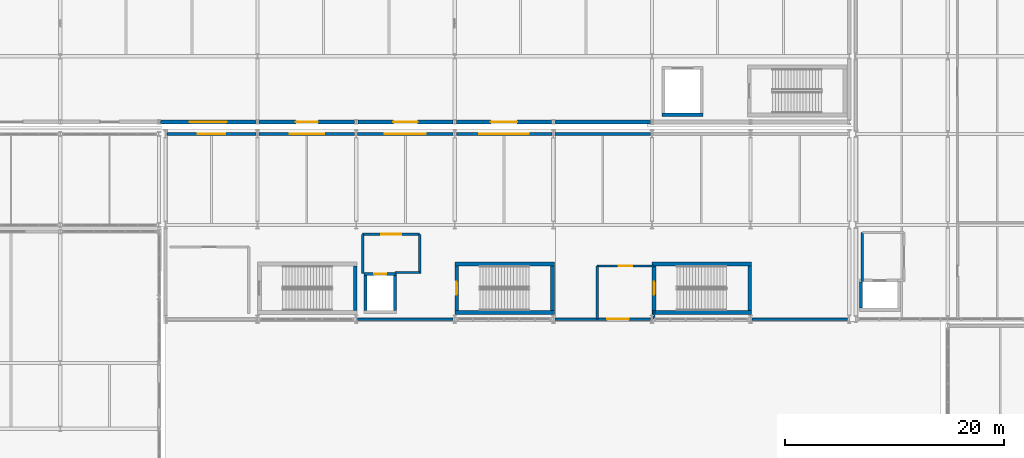
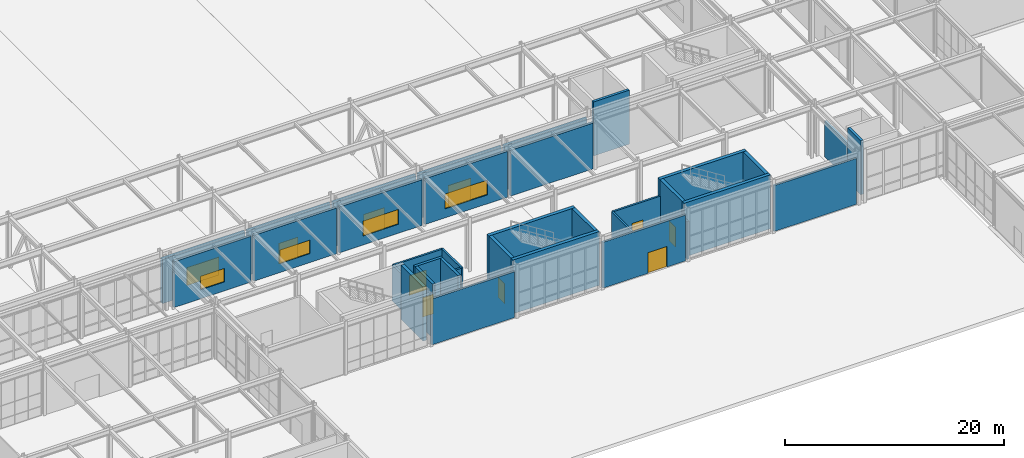
# One storey, part 120 of 146: 35 walls, 9 doors, 5 windows, 14 openings.
"""IFC4 building model written with IfcOpenShell, lengths in metres."""

from ifc_helpers import new_model, si_unit, direction, frame, frame_2d, origin, place, context, subcontext, project, spatial, rectangle, extrude, material, layer, layer_set, type_object, element, fill, save


model = new_model("IFC4")

# Units and contexts
model_context = context("Model", 3, precision=1e-05, world=origin(), true_north=direction((0.0, 1.0)))
body_context = subcontext(model_context, "Body", "Model", "MODEL_VIEW")
ifc_project = project(units=[si_unit("LENGTHUNIT", "METRE"), si_unit("AREAUNIT", "SQUARE_METRE"), si_unit("VOLUMEUNIT", "CUBIC_METRE"), si_unit("PLANEANGLEUNIT", "RADIAN"), si_unit("MASSUNIT", "GRAM", prefix="KILO")], contexts=[model_context])

# Site, building, storey
site_placement = place(None, origin())
site = spatial("IfcSite", under=ifc_project, at=site_placement, CompositionType="ELEMENT")
building_placement = place(site_placement, origin())
building = spatial("IfcBuilding", under=site, at=building_placement, Name="Kaldris Quays Convention Centre", CompositionType="ELEMENT")
storey_placement = place(building_placement, origin())
storey = spatial("IfcBuildingStorey", under=building, at=storey_placement, Name="L00", CompositionType="ELEMENT", Elevation=0.0)

# Wall, opening, window
ifc_material_1 = material(Name="Concrete C35/45", Category="concrete")
ifc_layer_1 = layer(ifc_material_1, 0.344970703125)
ifc_layer_set_1 = layer_set([ifc_layer_1], Name="Concrete C35/45")
wall_type_1 = type_object("IfcWallType", Name="EXTERIOR WALL EW01", PredefinedType="STANDARD", material=ifc_layer_set_1)
wall_1_placement = place(storey_placement, frame((83.1494140625, 56.0, 0.0), z_axis=(0.0, 0.0, 1.0), x_axis=(1.0, 0.0, 0.0)))
wall_1 = element("IfcWall", 1, at=wall_1_placement, inside=storey, type_object=wall_type_1, Name="L00 Exterior Wall EW01 22", PredefinedType="STANDARD", context=body_context, shape_type="SweptSolid", body=[
    extrude(rectangle(XDim=8.701171875, YDim=0.344970703125, at=frame_2d((4.3505859375, 0.0))), origin(), (0.0, 0.0, 1.0), 4.9580078125),
])
opening_1_placement = place(wall_1_placement, frame((2.650390625, 0.0, 1.0)))
opening_1 = element("IfcOpeningElement", 2, at=opening_1_placement, cuts=wall_1, Name="Opening WN14", PredefinedType="OPENING", context=body_context, shape_type="SweptSolid", body=[
    extrude(rectangle(XDim=3.39990234375, YDim=2.0, at=frame_2d((1.699951171875, 1.0))), frame((0.0, 0.1826171875, 0.0), z_axis=(0.0, -1.0, 0.0), x_axis=(1.0, 0.0, 0.0)), (0.0, 0.0, 1.0), 0.364990234375),
])
ifc_material_2 = material(Name="Triple low-E insulated glazing", Category="glass")
window_type_1 = type_object("IfcWindowType", Name="TRIPLE GLAZED WINDOW WN14", PartitioningType="SINGLE_PANEL", PredefinedType="WINDOW", material=ifc_material_2)
window_1_placement = place(opening_1_placement, origin())
window_1 = element("IfcWindow", 3, at=window_1_placement, inside=storey, type_object=window_type_1, Name="L00 Exterior Window WN14 9", OverallHeight=2.0, OverallWidth=3.39990234375, PartitioningType="SINGLE_PANEL", PredefinedType="WINDOW", context=body_context, shape_type="SweptSolid", body=[
    extrude(rectangle(XDim=3.39990234375, YDim=2.0, at=frame_2d((1.699951171875, 1.0))), frame((0.0, 0.030029296875, 0.0), z_axis=(0.0, -1.0, 0.0), x_axis=(1.0, 0.0, 0.0)), (0.0, 0.0, 1.0), 0.06005859375),
])
fill(opening_1, window_1)

# Wall, opening, door
wall_2_placement = place(storey_placement, frame((92.1494140625, 56.0, 0.0), z_axis=(0.0, 0.0, 1.0), x_axis=(1.0, 0.0, 0.0)))
wall_2 = element("IfcWall", 4, at=wall_2_placement, inside=storey, type_object=wall_type_1, Name="L00 Exterior Wall EW01 25", PredefinedType="STANDARD", context=body_context, shape_type="SweptSolid", body=[
    extrude(rectangle(XDim=8.701171875, YDim=0.344970703125, at=frame_2d((4.3505859375, 0.0))), origin(), (0.0, 0.0, 1.0), 4.9580078125),
])
opening_2_placement = place(wall_2_placement, frame((3.3505859375, 0.0, 0.0)))
opening_2 = element("IfcOpeningElement", 5, at=opening_2_placement, cuts=wall_2, Name="Opening ED01", PredefinedType="OPENING", context=body_context, shape_type="SweptSolid", body=[
    extrude(rectangle(XDim=2.0, YDim=2.300048828125, at=frame_2d((1.0, 1.14990234375))), frame((0.0, 0.1826171875, 0.0), z_axis=(0.0, -1.0, 0.0), x_axis=(1.0, 0.0, 0.0)), (0.0, 0.0, 1.0), 0.364990234375),
])
ifc_material_3 = material(Name="Thermally broken anodized aluminium and laminated safety glass", Category="aluminium")
door_type_1 = type_object("IfcDoorType", Name="EXTERIOR DOOR ED01", OperationType="DOUBLE_DOOR_SINGLE_SWING", PredefinedType="DOOR", material=ifc_material_3)
door_1_placement = place(opening_2_placement, frame((2.0, 0.0, 0.0), z_axis=(0.0, 0.0, 1.0), x_axis=(-1.0, 0.0, 0.0)))
door_1 = element("IfcDoor", 6, at=door_1_placement, inside=storey, type_object=door_type_1, Name="L00 Exterior Exit Door ED01 9", OperationType="DOUBLE_DOOR_SINGLE_SWING", OverallHeight=2.300048828125, OverallWidth=2.0, PredefinedType="DOOR", context=body_context, shape_type="SweptSolid", body=[
    extrude(rectangle(XDim=2.0, YDim=2.300048828125, at=frame_2d((1.0, 1.14990234375))), frame((0.0, 0.02490234375, 0.0), z_axis=(0.0, -1.0, 0.0), x_axis=(1.0, 0.0, 0.0)), (0.0, 0.0, 1.0), 0.050048828125),
])
fill(opening_2, door_1)

wall_3_placement = place(storey_placement, frame((101.1494140625, 56.0, 0.0), z_axis=(0.0, 0.0, 1.0), x_axis=(1.0, 0.0, 0.0)))
wall_3 = element("IfcWall", 7, at=wall_3_placement, inside=storey, type_object=wall_type_1, Name="L00 Exterior Wall EW01 28", PredefinedType="STANDARD", context=body_context, shape_type="SweptSolid", body=[
    extrude(rectangle(XDim=8.701171875, YDim=0.344970703125, at=frame_2d((4.3505859375, 0.0))), origin(), (0.0, 0.0, 1.0), 4.9580078125),
])
opening_3_placement = place(wall_3_placement, frame((3.25048828125, 0.0, 0.0)))
opening_3 = element("IfcOpeningElement", 8, at=opening_3_placement, cuts=wall_3, Name="Opening ED02", PredefinedType="OPENING", context=body_context, shape_type="SweptSolid", body=[
    extrude(rectangle(XDim=2.199951171875, YDim=2.39990234375, at=frame_2d((1.10009765625, 1.199951171875))), frame((0.0, 0.1826171875, 0.0), z_axis=(0.0, -1.0, 0.0), x_axis=(1.0, 0.0, 0.0)), (0.0, 0.0, 1.0), 0.364990234375),
])
door_type_2 = type_object("IfcDoorType", Name="EXTERIOR DOOR ED02", OperationType="DOUBLE_DOOR_SINGLE_SWING", PredefinedType="DOOR", material=ifc_material_3)
door_2_placement = place(opening_3_placement, frame((2.199951171875, 0.0, 0.0), z_axis=(0.0, 0.0, 1.0), x_axis=(-1.0, 0.0, 0.0)))
door_2 = element("IfcDoor", 9, at=door_2_placement, inside=storey, type_object=door_type_2, Name="L00 Exterior Exit Door ED02 10", OperationType="DOUBLE_DOOR_SINGLE_SWING", OverallHeight=2.39990234375, OverallWidth=2.199951171875, PredefinedType="DOOR", context=body_context, shape_type="SweptSolid", body=[
    extrude(rectangle(XDim=2.199951171875, YDim=2.39990234375, at=frame_2d((1.10009765625, 1.199951171875))), frame((0.0, 0.02490234375, 0.0), z_axis=(0.0, -1.0, 0.0), x_axis=(1.0, 0.0, 0.0)), (0.0, 0.0, 1.0), 0.050048828125),
])
fill(opening_3, door_2)

wall_4_placement = place(storey_placement, frame((110.1494140625, 56.0, 0.0), z_axis=(0.0, 0.0, 1.0), x_axis=(1.0, 0.0, 0.0)))
wall_4 = element("IfcWall", 10, at=wall_4_placement, inside=storey, type_object=wall_type_1, Name="L00 Exterior Wall EW01 31", PredefinedType="STANDARD", context=body_context, shape_type="SweptSolid", body=[
    extrude(rectangle(XDim=8.701171875, YDim=0.344970703125, at=frame_2d((4.3505859375, 0.0))), origin(), (0.0, 0.0, 1.0), 4.9580078125),
])
opening_4_placement = place(wall_4_placement, frame((3.150390625, 0.0, 0.0)))
opening_4 = element("IfcOpeningElement", 11, at=opening_4_placement, cuts=wall_4, Name="Opening ED03", PredefinedType="OPENING", context=body_context, shape_type="SweptSolid", body=[
    extrude(rectangle(XDim=2.39990234375, YDim=2.5, at=frame_2d((1.199951171875, 1.25))), frame((0.0, 0.1826171875, 0.0), z_axis=(0.0, -1.0, 0.0), x_axis=(1.0, 0.0, 0.0)), (0.0, 0.0, 1.0), 0.364990234375),
])
door_type_3 = type_object("IfcDoorType", Name="EXTERIOR DOOR ED03", OperationType="DOUBLE_DOOR_SINGLE_SWING", PredefinedType="DOOR", material=ifc_material_3)
door_3_placement = place(opening_4_placement, frame((2.39990234375, 0.0, 0.0), z_axis=(0.0, 0.0, 1.0), x_axis=(-1.0, 0.0, 0.0)))
door_3 = element("IfcDoor", 12, at=door_3_placement, inside=storey, type_object=door_type_3, Name="L00 Exterior Exit Door ED03 11", OperationType="DOUBLE_DOOR_SINGLE_SWING", OverallHeight=2.5, OverallWidth=2.39990234375, PredefinedType="DOOR", context=body_context, shape_type="SweptSolid", body=[
    extrude(rectangle(XDim=2.39990234375, YDim=2.5, at=frame_2d((1.199951171875, 1.25))), frame((0.0, 0.02490234375, 0.0), z_axis=(0.0, -1.0, 0.0), x_axis=(1.0, 0.0, 0.0)), (0.0, 0.0, 1.0), 0.050048828125),
])
fill(opening_4, door_3)

# Wall
wall_5_placement = place(storey_placement, frame((119.1494140625, 56.0, 0.0), z_axis=(0.0, 0.0, 1.0), x_axis=(1.0, 0.0, 0.0)))
element("IfcWall", 13, at=wall_5_placement, inside=storey, type_object=wall_type_1, Name="L00 Exterior Wall EW01 34", PredefinedType="STANDARD", context=body_context, shape_type="SweptSolid", body=[
    extrude(rectangle(XDim=8.701171875, YDim=0.344970703125, at=frame_2d((4.3505859375, 0.0))), origin(), (0.0, 0.0, 1.0), 4.9580078125),
])

# Wall, opening, window
ifc_material_4 = material(Name="Precast concrete C40/50", Category="concrete")
ifc_layer_2 = layer(ifc_material_4, 0.263916015625)
ifc_layer_set_2 = layer_set([ifc_layer_2], Name="Precast concrete C40/50")
wall_type_2 = type_object("IfcWallType", Name="EXTERIOR WALL EW04", PredefinedType="STANDARD", material=ifc_layer_set_2)
wall_6_placement = place(storey_placement, frame((83.74609375, 54.89990234375, 0.0), z_axis=(0.0, 0.0, 1.0), x_axis=(1.0, 0.0, 0.0)))
wall_6 = element("IfcWall", 14, at=wall_6_placement, inside=storey, type_object=wall_type_2, Name="L00 Exterior Wall EW04 228", PredefinedType="STANDARD", context=body_context, shape_type="SweptSolid", body=[
    extrude(rectangle(XDim=8.10791015625, YDim=0.263916015625, at=frame_2d((4.053955078125, 0.0))), origin(), (0.0, 0.0, 1.0), 5.097900390625),
])
opening_5_placement = place(wall_6_placement, frame((2.779052734375, 0.0, 1.0)))
opening_5 = element("IfcOpeningElement", 15, at=opening_5_placement, cuts=wall_6, Name="Opening WN19", PredefinedType="OPENING", context=body_context, shape_type="SweptSolid", body=[
    extrude(rectangle(XDim=2.550048828125, YDim=1.5, at=frame_2d((1.27490234375, 0.75))), frame((0.0, 0.14208984375, 0.0), z_axis=(0.0, -1.0, 0.0), x_axis=(1.0, 0.0, 0.0)), (0.0, 0.0, 1.0), 0.283935546875),
])
window_type_2 = type_object("IfcWindowType", Name="TRIPLE GLAZED WINDOW WN19", PartitioningType="SINGLE_PANEL", PredefinedType="WINDOW", material=ifc_material_2)
window_2_placement = place(opening_5_placement, origin())
window_2 = element("IfcWindow", 16, at=window_2_placement, inside=storey, type_object=window_type_2, Name="L00 Exterior Window WN19 82", OverallHeight=1.5, OverallWidth=2.550048828125, PartitioningType="SINGLE_PANEL", PredefinedType="WINDOW", context=body_context, shape_type="SweptSolid", body=[
    extrude(rectangle(XDim=2.550048828125, YDim=1.5, at=frame_2d((1.27490234375, 0.75))), frame((0.0, 0.030029296875, 0.0), z_axis=(0.0, -1.0, 0.0), x_axis=(1.0, 0.0, 0.0)), (0.0, 0.0, 1.0), 0.06005859375),
])
fill(opening_5, window_2)

wall_7_placement = place(storey_placement, frame((92.14599609375, 54.89990234375, 0.0), z_axis=(0.0, 0.0, 1.0), x_axis=(1.0, 0.0, 0.0)))
wall_7 = element("IfcWall", 17, at=wall_7_placement, inside=storey, type_object=wall_type_2, Name="L00 Exterior Wall EW04 229", PredefinedType="STANDARD", context=body_context, shape_type="SweptSolid", body=[
    extrude(rectangle(XDim=8.7080078125, YDim=0.263916015625, at=frame_2d((4.35400390625, 0.0))), origin(), (0.0, 0.0, 1.0), 5.097900390625),
])
opening_6_placement = place(wall_7_placement, frame((2.779052734375, 0.0, 1.0)))
opening_6 = element("IfcOpeningElement", 18, at=opening_6_placement, cuts=wall_7, Name="Opening WN20", PredefinedType="OPENING", context=body_context, shape_type="SweptSolid", body=[
    extrude(rectangle(XDim=3.14990234375, YDim=1.5, at=frame_2d((1.574951171875, 0.75))), frame((0.0, 0.14208984375, 0.0), z_axis=(0.0, -1.0, 0.0), x_axis=(1.0, 0.0, 0.0)), (0.0, 0.0, 1.0), 0.283935546875),
])
window_type_3 = type_object("IfcWindowType", Name="TRIPLE GLAZED WINDOW WN20", PartitioningType="SINGLE_PANEL", PredefinedType="WINDOW", material=ifc_material_2)
window_3_placement = place(opening_6_placement, origin())
window_3 = element("IfcWindow", 19, at=window_3_placement, inside=storey, type_object=window_type_3, Name="L00 Exterior Window WN20 83", OverallHeight=1.5, OverallWidth=3.14990234375, PartitioningType="SINGLE_PANEL", PredefinedType="WINDOW", context=body_context, shape_type="SweptSolid", body=[
    extrude(rectangle(XDim=3.14990234375, YDim=1.5, at=frame_2d((1.574951171875, 0.75))), frame((0.0, 0.030029296875, 0.0), z_axis=(0.0, -1.0, 0.0), x_axis=(1.0, 0.0, 0.0)), (0.0, 0.0, 1.0), 0.06005859375),
])
fill(opening_6, window_3)

wall_8_placement = place(storey_placement, frame((101.14599609375, 54.89990234375, 0.0), z_axis=(0.0, 0.0, 1.0), x_axis=(1.0, 0.0, 0.0)))
wall_8 = element("IfcWall", 20, at=wall_8_placement, inside=storey, type_object=wall_type_2, Name="L00 Exterior Wall EW04 231", PredefinedType="STANDARD", context=body_context, shape_type="SweptSolid", body=[
    extrude(rectangle(XDim=8.7080078125, YDim=0.263916015625, at=frame_2d((4.35400390625, 0.0))), origin(), (0.0, 0.0, 1.0), 5.097900390625),
])
opening_7_placement = place(wall_8_placement, frame((2.47900390625, 0.0, 1.0)))
opening_7 = element("IfcOpeningElement", 21, at=opening_7_placement, cuts=wall_8, Name="Opening WN21", PredefinedType="OPENING", context=body_context, shape_type="SweptSolid", body=[
    extrude(rectangle(XDim=3.75, YDim=1.64990234375, at=frame_2d((1.875, 0.824951171875))), frame((0.0, 0.14208984375, 0.0), z_axis=(0.0, -1.0, 0.0), x_axis=(1.0, 0.0, 0.0)), (0.0, 0.0, 1.0), 0.283935546875),
])
window_type_4 = type_object("IfcWindowType", Name="TRIPLE GLAZED WINDOW WN21", PartitioningType="SINGLE_PANEL", PredefinedType="WINDOW", material=ifc_material_2)
window_4_placement = place(opening_7_placement, origin())
window_4 = element("IfcWindow", 22, at=window_4_placement, inside=storey, type_object=window_type_4, Name="L00 Exterior Window WN21 84", OverallHeight=1.64990234375, OverallWidth=3.75, PartitioningType="SINGLE_PANEL", PredefinedType="WINDOW", context=body_context, shape_type="SweptSolid", body=[
    extrude(rectangle(XDim=3.75, YDim=1.64990234375, at=frame_2d((1.875, 0.824951171875))), frame((0.0, 0.030029296875, 0.0), z_axis=(0.0, -1.0, 0.0), x_axis=(1.0, 0.0, 0.0)), (0.0, 0.0, 1.0), 0.06005859375),
])
fill(opening_7, window_4)

wall_9_placement = place(storey_placement, frame((110.14599609375, 54.89990234375, 0.0), z_axis=(0.0, 0.0, 1.0), x_axis=(1.0, 0.0, 0.0)))
wall_9 = element("IfcWall", 23, at=wall_9_placement, inside=storey, type_object=wall_type_2, Name="L00 Exterior Wall EW04 232", PredefinedType="STANDARD", context=body_context, shape_type="SweptSolid", body=[
    extrude(rectangle(XDim=8.7080078125, YDim=0.263916015625, at=frame_2d((4.35400390625, 0.0))), origin(), (0.0, 0.0, 1.0), 5.097900390625),
])
opening_8_placement = place(wall_9_placement, frame((2.10400390625, 0.0, 1.0)))
opening_8 = element("IfcOpeningElement", 24, at=opening_8_placement, cuts=wall_9, Name="Opening WN22", PredefinedType="OPENING", context=body_context, shape_type="SweptSolid", body=[
    extrude(rectangle(XDim=4.5, YDim=1.64990234375, at=frame_2d((2.25, 0.824951171875))), frame((0.0, 0.14208984375, 0.0), z_axis=(0.0, -1.0, 0.0), x_axis=(1.0, 0.0, 0.0)), (0.0, 0.0, 1.0), 0.283935546875),
])
window_type_5 = type_object("IfcWindowType", Name="TRIPLE GLAZED WINDOW WN22", PartitioningType="SINGLE_PANEL", PredefinedType="WINDOW", material=ifc_material_2)
window_5_placement = place(opening_8_placement, origin())
window_5 = element("IfcWindow", 25, at=window_5_placement, inside=storey, type_object=window_type_5, Name="L00 Exterior Window WN22 85", OverallHeight=1.64990234375, OverallWidth=4.5, PartitioningType="SINGLE_PANEL", PredefinedType="WINDOW", context=body_context, shape_type="SweptSolid", body=[
    extrude(rectangle(XDim=4.5, YDim=1.64990234375, at=frame_2d((2.25, 0.824951171875))), frame((0.0, 0.030029296875, 0.0), z_axis=(0.0, -1.0, 0.0), x_axis=(1.0, 0.0, 0.0)), (0.0, 0.0, 1.0), 0.06005859375),
])
fill(opening_8, window_5)

# Walls
wall_10_placement = place(storey_placement, frame((119.14599609375, 54.89990234375, 0.0), z_axis=(0.0, 0.0, 1.0), x_axis=(1.0, 0.0, 0.0)))
element("IfcWall", 26, at=wall_10_placement, inside=storey, type_object=wall_type_2, Name="L00 Exterior Wall EW04 234", PredefinedType="STANDARD", context=body_context, shape_type="SweptSolid", body=[
    extrude(rectangle(XDim=8.7080078125, YDim=0.263916015625, at=frame_2d((4.35400390625, 0.0))), origin(), (0.0, 0.0, 1.0), 5.097900390625),
])
ifc_material_5 = material(Name="Anodized aluminium insulated cassette", Category="aluminium")
ifc_layer_3 = layer(ifc_material_5, 0.221923828125)
ifc_layer_set_3 = layer_set([ifc_layer_3], Name="Anodized aluminium insulated cassette")
wall_type_3 = type_object("IfcWallType", Name="EXTERIOR WALL EW06", PredefinedType="STANDARD", material=ifc_layer_set_3)
wall_11_placement = place(storey_placement, frame((101.14599609375, 38.0, 0.0), z_axis=(0.0, 0.0, 1.0), x_axis=(1.0, 0.0, 0.0)))
element("IfcWall", 27, at=wall_11_placement, inside=storey, type_object=wall_type_3, Name="L00 Exterior Wall EW06 230", PredefinedType="STANDARD", context=body_context, shape_type="SweptSolid", body=[
    extrude(rectangle(XDim=8.7080078125, YDim=0.221923828125, at=frame_2d((4.35400390625, 0.0))), origin(), (0.0, 0.0, 1.0), 5.097900390625),
])

# Wall, opening, door
wall_12_placement = place(storey_placement, frame((119.14599609375, 38.0, 0.0), z_axis=(0.0, 0.0, 1.0), x_axis=(1.0, 0.0, 0.0)))
wall_12 = element("IfcWall", 28, at=wall_12_placement, inside=storey, type_object=wall_type_3, Name="L00 Exterior Wall EW06 233", PredefinedType="STANDARD", context=body_context, shape_type="SweptSolid", body=[
    extrude(rectangle(XDim=8.7080078125, YDim=0.221923828125, at=frame_2d((4.35400390625, 0.0))), origin(), (0.0, 0.0, 1.0), 5.097900390625),
])
opening_9_placement = place(wall_12_placement, frame((4.756103515625, 0.0, 0.0)))
opening_9 = element("IfcOpeningElement", 29, at=opening_9_placement, cuts=wall_12, Name="Opening ED01", PredefinedType="OPENING", context=body_context, shape_type="SweptSolid", body=[
    extrude(rectangle(XDim=2.0, YDim=2.300048828125, at=frame_2d((1.0, 1.14990234375))), frame((0.0, 0.12109375, 0.0), z_axis=(0.0, -1.0, 0.0), x_axis=(1.0, 0.0, 0.0)), (0.0, 0.0, 1.0), 0.241943359375),
])
door_4_placement = place(opening_9_placement, frame((2.0, 0.0, 0.0), z_axis=(0.0, 0.0, 1.0), x_axis=(-1.0, 0.0, 0.0)))
door_4 = element("IfcDoor", 30, at=door_4_placement, inside=storey, type_object=door_type_1, Name="L00 Stair ST12 Final Exterior Exit Door ED01", OperationType="DOUBLE_DOOR_SINGLE_SWING", OverallHeight=2.300048828125, OverallWidth=2.0, PredefinedType="DOOR", context=body_context, shape_type="SweptSolid", body=[
    extrude(rectangle(XDim=2.0, YDim=2.300048828125, at=frame_2d((1.0, 1.14990234375))), frame((0.0, 0.02490234375, 0.0), z_axis=(0.0, -1.0, 0.0), x_axis=(1.0, 0.0, 0.0)), (0.0, 0.0, 1.0), 0.050048828125),
])
fill(opening_9, door_4)

# Wall
wall_13_placement = place(storey_placement, frame((137.14599609375, 38.0, 0.0), z_axis=(0.0, 0.0, 1.0), x_axis=(1.0, 0.0, 0.0)))
element("IfcWall", 31, at=wall_13_placement, inside=storey, type_object=wall_type_3, Name="L00 Exterior Wall EW06 236", PredefinedType="STANDARD", context=body_context, shape_type="SweptSolid", body=[
    extrude(rectangle(XDim=8.7080078125, YDim=0.221923828125, at=frame_2d((4.35400390625, 0.0))), origin(), (0.0, 0.0, 1.0), 5.097900390625),
])

# Wall, opening, door
ifc_layer_4 = layer(ifc_material_1, 0.199951171875)
ifc_layer_set_4 = layer_set([ifc_layer_4], Name="Concrete C35/45")
wall_type_4 = type_object("IfcWallType", Name="INTERIOR WALL IW01", PredefinedType="PARTITIONING", material=ifc_layer_set_4)
wall_14_placement = place(storey_placement, frame((123.0, 42.85009765625, 0.0), z_axis=(0.0, 0.0, 1.0), x_axis=(1.0, 0.0, 0.0)))
wall_14 = element("IfcWall", 32, at=wall_14_placement, inside=storey, type_object=wall_type_4, Name="L00 Protected Exit Lobby ST12 Fire Wall", PredefinedType="PARTITIONING", context=body_context, shape_type="SweptSolid", body=[
    extrude(rectangle(XDim=5.175048828125, YDim=0.199951171875, at=frame_2d((2.58740234375, 0.0))), origin(), (0.0, 0.0, 1.0), 4.199951171875),
])
opening_10_placement = place(wall_14_placement, frame((1.987548828125, 0.0, 0.0)))
opening_10 = element("IfcOpeningElement", 33, at=opening_10_placement, cuts=wall_14, Name="Opening ID03", PredefinedType="OPENING", context=body_context, shape_type="SweptSolid", body=[
    extrude(rectangle(XDim=1.199951171875, YDim=2.199951171875, at=frame_2d((0.60009765625, 1.10009765625))), frame((0.0, 0.10986328125, 0.0), z_axis=(0.0, -1.0, 0.0), x_axis=(1.0, 0.0, 0.0)), (0.0, 0.0, 1.0), 0.219970703125),
])
ifc_material_6 = material(Name="Steel S355J2 fire-resisting door", Category="steel")
door_type_4 = type_object("IfcDoorType", Name="INTERIOR DOOR ID03", OperationType="NOTDEFINED", PredefinedType="DOOR", material=ifc_material_6)
door_5_placement = place(opening_10_placement, frame((1.199951171875, 0.0, 0.0), z_axis=(0.0, 0.0, 1.0), x_axis=(-1.0, 0.0, 0.0)))
door_5 = element("IfcDoor", 34, at=door_5_placement, inside=storey, type_object=door_type_4, Name="L00 Protected Exit Lobby ST12 Entry Fire Door", OperationType="SINGLE_SWING_LEFT", OverallHeight=2.199951171875, OverallWidth=1.199951171875, PredefinedType="DOOR", context=body_context, shape_type="SweptSolid", body=[
    extrude(rectangle(XDim=1.199951171875, YDim=2.199951171875, at=frame_2d((0.60009765625, 1.10009765625))), frame((0.0, 0.02490234375, 0.0), z_axis=(0.0, -1.0, 0.0), x_axis=(1.0, 0.0, 0.0)), (0.0, 0.0, 1.0), 0.050048828125),
])
fill(opening_10, door_5)

# Walls
wall_15_placement = place(storey_placement, frame((123.0, 38.0, 0.0), z_axis=(0.0, 0.0, 1.0), x_axis=(0.0, 1.0, 0.0)))
element("IfcWall", 35, at=wall_15_placement, inside=storey, type_object=wall_type_4, Name="L00 Protected Exit Lobby ST12 Side Wall 1", PredefinedType="PARTITIONING", context=body_context, shape_type="SweptSolid", body=[
    extrude(rectangle(XDim=4.85009765625, YDim=0.199951171875, at=frame_2d((2.425048828125, 0.0))), origin(), (0.0, 0.0, 1.0), 4.199951171875),
])
wall_16_placement = place(storey_placement, frame((128.175048828125, 38.0, 0.0), z_axis=(0.0, 0.0, 1.0), x_axis=(0.0, 1.0, 0.0)))
element("IfcWall", 36, at=wall_16_placement, inside=storey, type_object=wall_type_4, Name="L00 Protected Exit Lobby ST12 Side Wall 2", PredefinedType="PARTITIONING", context=body_context, shape_type="SweptSolid", body=[
    extrude(rectangle(XDim=0.800048828125, YDim=0.199951171875, at=frame_2d((0.39990234375, 0.0))), origin(), (0.0, 0.0, 1.0), 4.199951171875),
])

# Wall, opening, door
wall_17_placement = place(storey_placement, frame((101.60009765625, 45.75, 0.0), z_axis=(0.0, 0.0, 1.0), x_axis=(1.0, 0.0, 0.0)))
wall_17 = element("IfcWall", 37, at=wall_17_placement, inside=storey, type_object=wall_type_4, Name="L00 Firefighting Lift Lobby FL01 Wall N", PredefinedType="PARTITIONING", context=body_context, shape_type="SweptSolid", body=[
    extrude(rectangle(XDim=5.199951171875, YDim=0.199951171875, at=frame_2d((2.60009765625, 0.0))), origin(), (0.0, 0.0, 1.0), 4.0),
])
opening_11_placement = place(wall_17_placement, frame((1.699951171875, 0.0, 0.0)))
opening_11 = element("IfcOpeningElement", 38, at=opening_11_placement, cuts=wall_17, Name="Opening ID02", PredefinedType="OPENING", context=body_context, shape_type="SweptSolid", body=[
    extrude(rectangle(XDim=1.800048828125, YDim=2.199951171875, at=frame_2d((0.89990234375, 1.10009765625))), frame((0.0, 0.10986328125, 0.0), z_axis=(0.0, -1.0, 0.0), x_axis=(1.0, 0.0, 0.0)), (0.0, 0.0, 1.0), 0.219970703125),
])
door_type_5 = type_object("IfcDoorType", Name="INTERIOR DOOR ID02", OperationType="DOUBLE_DOOR_SINGLE_SWING", PredefinedType="DOOR", material=ifc_material_6)
door_6_placement = place(opening_11_placement, origin())
door_6 = element("IfcDoor", 39, at=door_6_placement, inside=storey, type_object=door_type_5, Name="L00 Firefighting Lift Lobby FL01 Fire Door", OperationType="DOUBLE_DOOR_SINGLE_SWING", OverallHeight=2.199951171875, OverallWidth=1.800048828125, PredefinedType="DOOR", context=body_context, shape_type="SweptSolid", body=[
    extrude(rectangle(XDim=1.800048828125, YDim=2.199951171875, at=frame_2d((0.89990234375, 1.10009765625))), frame((0.0, 0.02490234375, 0.0), z_axis=(0.0, -1.0, 0.0), x_axis=(1.0, 0.0, 0.0)), (0.0, 0.0, 1.0), 0.050048828125),
])
fill(opening_11, door_6)

# Walls
for number, where, z_axis, x_axis, name in (
    (40, (101.60009765625, 42.14990234375, 0.0), (0.0, 0.0, 1.0), (0.0, 1.0, 0.0), "L00 Firefighting Lift Lobby FL01 Wall W"),
    (41, (106.800048828125, 42.14990234375, 0.0), (0.0, 0.0, 1.0), (0.0, 1.0, 0.0), "L00 Firefighting Lift Lobby FL01 Wall E"),
):
    element("IfcWall", number, at=place(storey_placement, frame(where, z_axis=z_axis, x_axis=x_axis)), inside=storey, type_object=wall_type_4, Name=name, PredefinedType="PARTITIONING", context=body_context, shape_type="SweptSolid", body=[
        extrude(rectangle(XDim=3.60009765625, YDim=0.199951171875, at=frame_2d((1.800048828125, 0.0))), origin(), (0.0, 0.0, 1.0), 4.0),
    ])
wall_18_placement = place(storey_placement, frame((104.5400390625, 42.25, 0.0), z_axis=(0.0, 0.0, 1.0), x_axis=(1.0, 0.0, 0.0)))
element("IfcWall", 42, at=wall_18_placement, inside=storey, type_object=wall_type_4, Name="L00 Firefighting Lift Lobby FL01 Wall S", PredefinedType="PARTITIONING", context=body_context, shape_type="SweptSolid", body=[
    extrude(rectangle(XDim=2.260009765625, YDim=0.199951171875, at=frame_2d((1.1298828125, 0.0))), origin(), (0.0, 0.0, 1.0), 4.0),
])
wall_19_placement = place(storey_placement, frame((147.199951171875, 41.449951171875, 0.0), z_axis=(0.0, 0.0, 1.0), x_axis=(0.0, 1.0, 0.0)))
element("IfcWall", 43, at=wall_19_placement, inside=storey, type_object=wall_type_4, Name="L00 Firefighting Lift Lobby FL02 Wall W", PredefinedType="PARTITIONING", context=body_context, shape_type="SweptSolid", body=[
    extrude(rectangle(XDim=4.449951171875, YDim=0.199951171875, at=frame_2d((2.22509765625, 0.0))), origin(), (0.0, 0.0, 1.0), 4.0),
])
ifc_material_7 = material(Name="Concrete C40/50", Category="concrete")
ifc_layer_5 = layer(ifc_material_7, 0.35009765625)
ifc_layer_set_5 = layer_set([ifc_layer_5], Name="Concrete C40/50")
wall_type_5 = type_object("IfcWallType", Name="STRUCTURAL WALL SW01", PredefinedType="SHEAR", material=ifc_layer_set_5)
wall_20_placement = place(storey_placement, frame((100.925048828125, 38.800048828125, 0.0), z_axis=(0.0, 0.0, 1.0), x_axis=(0.0, 1.0, 0.0)))
element("IfcWall", 44, at=wall_20_placement, inside=storey, type_object=wall_type_5, Name="L00 Core Shear Wall CORE-ST11-L00-E", PredefinedType="SHEAR", context=body_context, shape_type="SweptSolid", body=[
    extrude(rectangle(XDim=4.050048828125, YDim=0.35009765625, at=frame_2d((2.02490234375, 0.0))), origin(), (0.0, 0.0, 1.0), 6.0),
])
for number, where, z_axis, x_axis, name in (
    (45, (128.0, 38.625, 0.0), (0.0, 0.0, 1.0), (1.0, 0.0, 0.0), "L00 Core Shear Wall CORE-ST12-L00-S"),
    (46, (128.0, 43.02490234375, 0.0), (0.0, 0.0, 1.0), (1.0, 0.0, 0.0), "L00 Core Shear Wall CORE-ST12-L00-N"),
):
    element("IfcWall", number, at=place(storey_placement, frame(where, z_axis=z_axis, x_axis=x_axis)), inside=storey, type_object=wall_type_5, Name=name, PredefinedType="SHEAR", context=body_context, shape_type="SweptSolid", body=[
        extrude(rectangle(XDim=9.10009765625, YDim=0.35009765625, at=frame_2d((4.550048828125, 0.0))), origin(), (0.0, 0.0, 1.0), 6.0),
    ])

# Wall, opening, door
wall_21_placement = place(storey_placement, frame((128.175048828125, 38.800048828125, 0.0), z_axis=(0.0, 0.0, 1.0), x_axis=(0.0, 1.0, 0.0)))
wall_21 = element("IfcWall", 47, at=wall_21_placement, inside=storey, type_object=wall_type_5, Name="L00 Core Shear Wall CORE-ST12-L00-W", PredefinedType="SHEAR", context=body_context, shape_type="SweptSolid", body=[
    extrude(rectangle(XDim=4.050048828125, YDim=0.35009765625, at=frame_2d((2.02490234375, 0.0))), origin(), (0.0, 0.0, 1.0), 6.0),
])
opening_12_placement = place(wall_21_placement, frame((1.425048828125, 0.0, 0.0)))
opening_12 = element("IfcOpeningElement", 48, at=opening_12_placement, cuts=wall_21, Name="Opening ID03", PredefinedType="OPENING", context=body_context, shape_type="SweptSolid", body=[
    extrude(rectangle(XDim=1.199951171875, YDim=2.199951171875, at=frame_2d((0.60009765625, 1.10009765625))), frame((0.0, 0.18505859375, 0.0), z_axis=(0.0, -1.0, 0.0), x_axis=(1.0, 0.0, 0.0)), (0.0, 0.0, 1.0), 0.3701171875),
])
door_7_placement = place(opening_12_placement, origin())
door_7 = element("IfcDoor", 49, at=door_7_placement, inside=storey, type_object=door_type_4, Name="L00 Escape Stair ST12 Fire Door", OperationType="SINGLE_SWING_RIGHT", OverallHeight=2.199951171875, OverallWidth=1.199951171875, PredefinedType="DOOR", context=body_context, shape_type="SweptSolid", body=[
    extrude(rectangle(XDim=1.199951171875, YDim=2.199951171875, at=frame_2d((0.60009765625, 1.10009765625))), frame((0.0, 0.02490234375, 0.0), z_axis=(0.0, -1.0, 0.0), x_axis=(1.0, 0.0, 0.0)), (0.0, 0.0, 1.0), 0.050048828125),
])
fill(opening_12, door_7)

# Walls
wall_22_placement = place(storey_placement, frame((136.925048828125, 38.800048828125, 0.0), z_axis=(0.0, 0.0, 1.0), x_axis=(0.0, 1.0, 0.0)))
element("IfcWall", 50, at=wall_22_placement, inside=storey, type_object=wall_type_5, Name="L00 Core Shear Wall CORE-ST12-L00-E", PredefinedType="SHEAR", context=body_context, shape_type="SweptSolid", body=[
    extrude(rectangle(XDim=4.050048828125, YDim=0.35009765625, at=frame_2d((2.02490234375, 0.0))), origin(), (0.0, 0.0, 1.0), 6.0),
])
for number, where, z_axis, x_axis, name in (
    (51, (110.0, 38.625, 0.0), (0.0, 0.0, 1.0), (1.0, 0.0, 0.0), "L00 Core Shear Wall CORE-ST13-L00-S"),
    (52, (110.0, 43.02490234375, 0.0), (0.0, 0.0, 1.0), (1.0, 0.0, 0.0), "L00 Core Shear Wall CORE-ST13-L00-N"),
):
    element("IfcWall", number, at=place(storey_placement, frame(where, z_axis=z_axis, x_axis=x_axis)), inside=storey, type_object=wall_type_5, Name=name, PredefinedType="SHEAR", context=body_context, shape_type="SweptSolid", body=[
        extrude(rectangle(XDim=9.10009765625, YDim=0.35009765625, at=frame_2d((4.550048828125, 0.0))), origin(), (0.0, 0.0, 1.0), 6.0),
    ])

# Wall, opening, door
wall_23_placement = place(storey_placement, frame((110.175048828125, 38.800048828125, 0.0), z_axis=(0.0, 0.0, 1.0), x_axis=(0.0, 1.0, 0.0)))
wall_23 = element("IfcWall", 53, at=wall_23_placement, inside=storey, type_object=wall_type_5, Name="L00 Core Shear Wall CORE-ST13-L00-W", PredefinedType="SHEAR", context=body_context, shape_type="SweptSolid", body=[
    extrude(rectangle(XDim=4.050048828125, YDim=0.35009765625, at=frame_2d((2.02490234375, 0.0))), origin(), (0.0, 0.0, 1.0), 6.0),
])
opening_13_placement = place(wall_23_placement, frame((1.425048828125, 0.0, 0.0)))
opening_13 = element("IfcOpeningElement", 54, at=opening_13_placement, cuts=wall_23, Name="Opening ID03", PredefinedType="OPENING", context=body_context, shape_type="SweptSolid", body=[
    extrude(rectangle(XDim=1.199951171875, YDim=2.199951171875, at=frame_2d((0.60009765625, 1.10009765625))), frame((0.0, 0.18505859375, 0.0), z_axis=(0.0, -1.0, 0.0), x_axis=(1.0, 0.0, 0.0)), (0.0, 0.0, 1.0), 0.3701171875),
])
door_8_placement = place(opening_13_placement, origin())
door_8 = element("IfcDoor", 55, at=door_8_placement, inside=storey, type_object=door_type_4, Name="L00 Escape Stair ST13 Fire Door", OperationType="SINGLE_SWING_RIGHT", OverallHeight=2.199951171875, OverallWidth=1.199951171875, PredefinedType="DOOR", context=body_context, shape_type="SweptSolid", body=[
    extrude(rectangle(XDim=1.199951171875, YDim=2.199951171875, at=frame_2d((0.60009765625, 1.10009765625))), frame((0.0, 0.02490234375, 0.0), z_axis=(0.0, -1.0, 0.0), x_axis=(1.0, 0.0, 0.0)), (0.0, 0.0, 1.0), 0.050048828125),
])
fill(opening_13, door_8)

# Wall
wall_24_placement = place(storey_placement, frame((118.925048828125, 38.800048828125, 0.0), z_axis=(0.0, 0.0, 1.0), x_axis=(0.0, 1.0, 0.0)))
element("IfcWall", 56, at=wall_24_placement, inside=storey, type_object=wall_type_5, Name="L00 Core Shear Wall CORE-ST13-L00-E", PredefinedType="SHEAR", context=body_context, shape_type="SweptSolid", body=[
    extrude(rectangle(XDim=4.050048828125, YDim=0.35009765625, at=frame_2d((2.02490234375, 0.0))), origin(), (0.0, 0.0, 1.0), 6.0),
])

# Wall, opening, door
ifc_layer_6 = layer(ifc_material_7, 0.280029296875)
ifc_layer_set_6 = layer_set([ifc_layer_6], Name="Concrete C40/50")
wall_type_6 = type_object("IfcWallType", Name="STRUCTURAL WALL SW03", PredefinedType="SHEAR", material=ifc_layer_set_6)
wall_25_placement = place(storey_placement, frame((101.719970703125, 42.139892578125, 0.0), z_axis=(0.0, 0.0, 1.0), x_axis=(1.0, 0.0, 0.0)))
wall_25 = element("IfcWall", 57, at=wall_25_placement, inside=storey, type_object=wall_type_6, Name="L00 Core Shear Wall LSHAFT-FL01-L00-N", PredefinedType="SHEAR", context=body_context, shape_type="SweptSolid", body=[
    extrude(rectangle(XDim=2.9599609375, YDim=0.280029296875, at=frame_2d((1.47998046875, 0.0))), origin(), (0.0, 0.0, 1.0), 6.0),
])
opening_14_placement = place(wall_25_placement, frame((0.929931640625, 0.0, 0.0)))
opening_14 = element("IfcOpeningElement", 58, at=opening_14_placement, cuts=wall_25, Name="Opening LD01", PredefinedType="OPENING", context=body_context, shape_type="SweptSolid", body=[
    extrude(rectangle(XDim=1.10009765625, YDim=2.14990234375, at=frame_2d((0.550048828125, 1.074951171875))), frame((0.0, 0.14990234375, 0.0), z_axis=(0.0, -1.0, 0.0), x_axis=(1.0, 0.0, 0.0)), (0.0, 0.0, 1.0), 0.300048828125),
])
ifc_material_8 = material(Name="Stainless steel 1.4301 lift landing door", Category="steel")
door_type_6 = type_object("IfcDoorType", Name="INTERIOR DOOR LD01", OperationType="DOUBLE_DOOR_SLIDING", PredefinedType="DOOR", material=ifc_material_8)
door_9_placement = place(opening_14_placement, origin())
door_9 = element("IfcDoor", 59, at=door_9_placement, inside=storey, type_object=door_type_6, Name="L00 FL01 Sliding Lift Landing Door", OperationType="DOUBLE_DOOR_SLIDING", OverallHeight=2.14990234375, OverallWidth=1.10009765625, PredefinedType="DOOR", context=body_context, shape_type="SweptSolid", body=[
    extrude(rectangle(XDim=1.10009765625, YDim=2.14990234375, at=frame_2d((0.550048828125, 1.074951171875))), frame((0.0, 0.02490234375, 0.0), z_axis=(0.0, -1.0, 0.0), x_axis=(1.0, 0.0, 0.0)), (0.0, 0.0, 1.0), 0.050048828125),
])
fill(opening_14, door_9)

# Walls
for number, where, z_axis, x_axis, name in (
    (60, (101.860107421875, 38.800048828125, 0.0), (0.0, 0.0, 1.0), (0.0, 1.0, 0.0), "L00 Core Shear Wall LSHAFT-FL01-L00-W"),
    (61, (104.5400390625, 38.800048828125, 0.0), (0.0, 0.0, 1.0), (0.0, 1.0, 0.0), "L00 Core Shear Wall LSHAFT-FL01-L00-E"),
):
    element("IfcWall", number, at=place(storey_placement, frame(where, z_axis=z_axis, x_axis=x_axis)), inside=storey, type_object=wall_type_6, Name=name, PredefinedType="SHEAR", context=body_context, shape_type="SweptSolid", body=[
        extrude(rectangle(XDim=3.199951171875, YDim=0.280029296875, at=frame_2d((1.60009765625, 0.0))), origin(), (0.0, 0.0, 1.0), 6.0),
    ])
wall_26_placement = place(storey_placement, frame((147.06005859375, 39.0, 0.0), z_axis=(0.0, 0.0, 1.0), x_axis=(0.0, 1.0, 0.0)))
element("IfcWall", 62, at=wall_26_placement, inside=storey, type_object=wall_type_6, Name="L00 Core Shear Wall LSHAFT-FL02-L00-W", PredefinedType="SHEAR", context=body_context, shape_type="SweptSolid", body=[
    extrude(rectangle(XDim=2.39990234375, YDim=0.280029296875, at=frame_2d((1.199951171875, 0.0))), origin(), (0.0, 0.0, 1.0), 6.0),
])
wall_27_placement = place(storey_placement, frame((128.919921875, 56.659912109375, 0.0), z_axis=(0.0, 0.0, 1.0), x_axis=(1.0, 0.0, 0.0)))
element("IfcWall", 63, at=wall_27_placement, inside=storey, type_object=wall_type_6, Name="L00 Core Shear Wall LSHAFT-GL01-L00-S", PredefinedType="SHEAR", context=body_context, shape_type="SweptSolid", body=[
    extrude(rectangle(XDim=3.760009765625, YDim=0.280029296875, at=frame_2d((1.8798828125, 0.0))), origin(), (0.0, 0.0, 1.0), 6.0),
])

save(model, "model.ifc")
